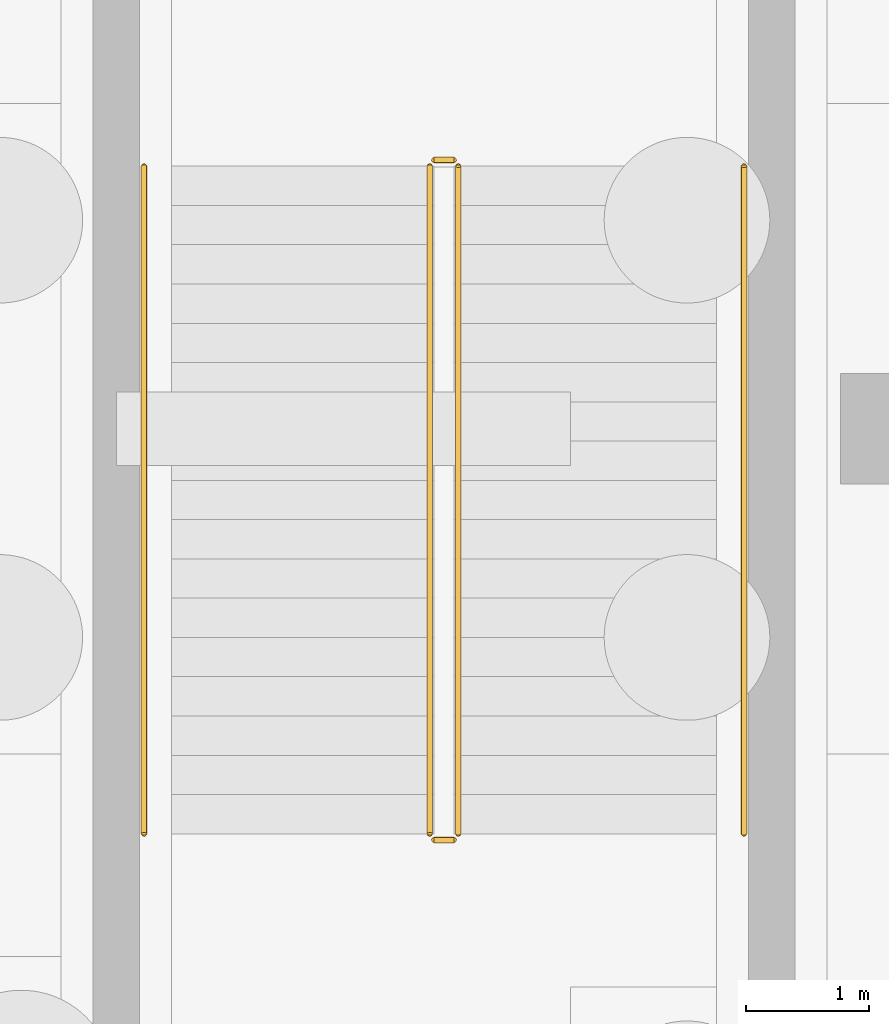
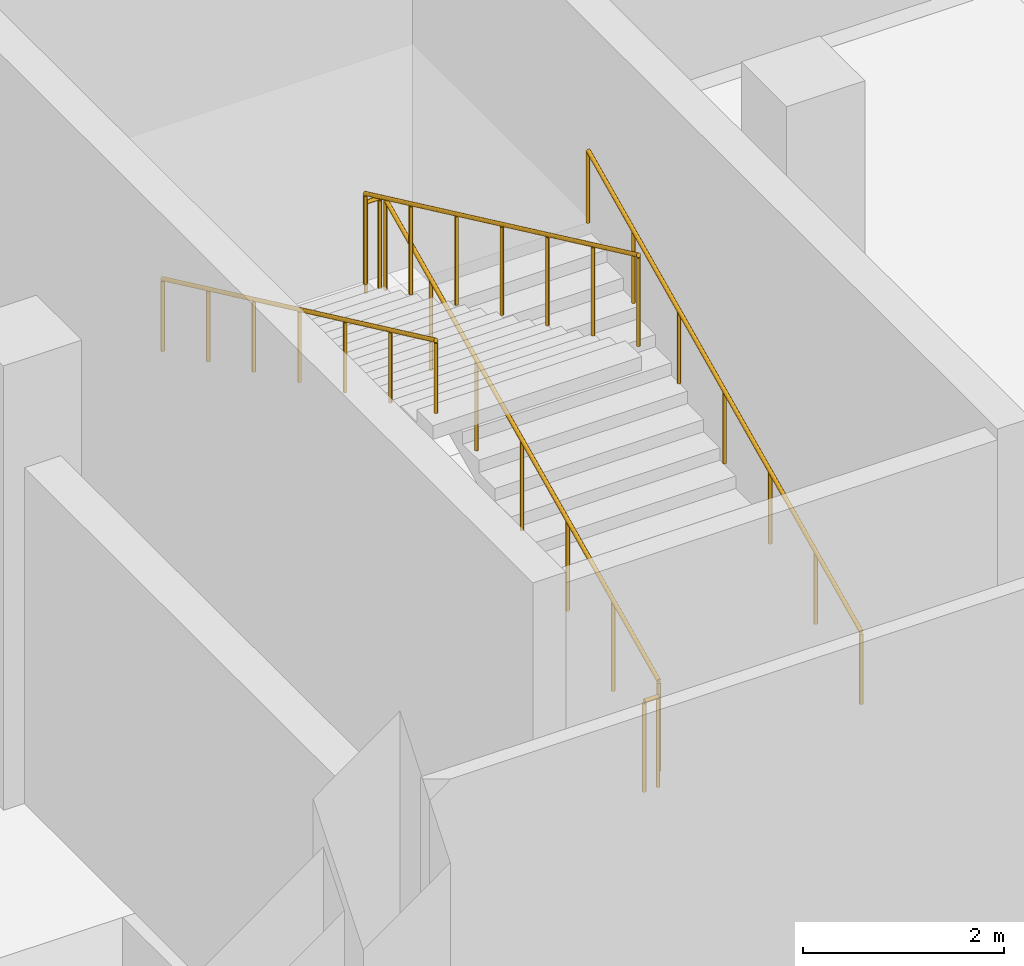
# One storey, part 32 of 39: 6 railings.
"""IFC4 building model written with IfcOpenShell, lengths in metres."""

import ifcopenshell
import ifcopenshell.guid

model = None  # the IFC model being written
_history = None  # IfcOwnerHistory: only IFC2X3 demands one
_inside = {}  # id of a spatial element -> (the spatial element, [elements in it])
_under = {}  # id of a project, library or spatial element -> (it, [spatial elements below it])
_declared = {}  # id of a project -> (the project, [libraries it declares])
_typed = {}  # id of a type object -> (the type object, [elements of that type])
_made_of = {}  # id of a material, layer set ... -> (it, [elements and type objects made of it])


def new_model(schema):
    """Start an empty IFC model of exactly this schema.

    Asked for "IFC4X3", IfcOpenShell would pick the latest addendum, in which some entities
    have other attributes; the version numbers below select the first issue.
    IFC2X3 requires an IfcOwnerHistory on every rooted entity: one is made here for all.
    """
    global model, _history
    if schema == "IFC4X3":
        model = ifcopenshell.file(schema_version=(4, 3, 0, 0))
    else:
        model = ifcopenshell.file(schema=schema)
    _inside.clear()
    _under.clear()
    _declared.clear()
    _typed.clear()
    _made_of.clear()
    _history = None
    if model.schema == "IFC2X3":
        org = make("IfcOrganization", Name="unknown")
        user = make(
            "IfcPersonAndOrganization",
            ThePerson=make("IfcPerson", FamilyName="unknown"),
            TheOrganization=org,
        )
        app = make(
            "IfcApplication",
            ApplicationDeveloper=org,
            Version="unknown",
            ApplicationFullName="unknown",
            ApplicationIdentifier="unknown",
        )
        _history = make(
            "IfcOwnerHistory",
            OwningUser=user,
            OwningApplication=app,
            ChangeAction="ADDED",
            CreationDate=0,
        )
    return model


def make(cls, **values):
    """One entity of the class cls with the attributes given. An attribute that is None is left unset."""
    return model.create_entity(
        cls, **{name: value for name, value in values.items() if value is not None}
    )


def rooted(cls, **values):
    """An entity with a GlobalId (a new one), such as an element, a storey or a relation."""
    return make(cls, GlobalId=ifcopenshell.guid.new(), OwnerHistory=_history, **values)


def si_unit(unit_type, name, prefix=None):
    """IfcSIUnit, for example si_unit("LENGTHUNIT", "METRE", prefix="MILLI")."""
    return make("IfcSIUnit", UnitType=unit_type, Prefix=prefix, Name=name)


def assignment(units):
    """IfcUnitAssignment: the units of a project."""
    return None if units is None else make("IfcUnitAssignment", Units=units)


def point(xyz):
    """IfcCartesianPoint."""
    return None if xyz is None else make("IfcCartesianPoint", Coordinates=xyz)


def direction(xyz):
    """IfcDirection."""
    return None if xyz is None else make("IfcDirection", DirectionRatios=xyz)


def frame(location, z_axis=None, x_axis=None):
    """IfcAxis2Placement3D, a coordinate frame: its origin and axes. An axis left out is left unset."""
    return make(
        "IfcAxis2Placement3D",
        Location=point(location),
        Axis=direction(z_axis),
        RefDirection=direction(x_axis),
    )


def frame_2d(location, x_axis=None):
    """IfcAxis2Placement2D, a coordinate frame in the plane: its origin and x axis."""
    return make(
        "IfcAxis2Placement2D", Location=point(location), RefDirection=direction(x_axis)
    )


def origin():
    """The frame at (0, 0, 0) with its axes left unset."""
    return frame((0.0, 0.0, 0.0))


def origin_2d():
    """The frame at (0, 0) in the plane with its x axis left unset."""
    return frame_2d((0.0, 0.0))


def place(relative_to, where):
    """IfcLocalPlacement: puts the frame where relative to a parent placement (None: the world)."""
    return make(
        "IfcLocalPlacement", PlacementRelTo=relative_to, RelativePlacement=where
    )


def context(
    kind, dimensions, precision=None, world=None, true_north=None, identifier=None
):
    """IfcGeometricRepresentationContext, for example the 3D "Model" context."""
    return make(
        "IfcGeometricRepresentationContext",
        ContextIdentifier=identifier,
        ContextType=kind,
        CoordinateSpaceDimension=dimensions,
        Precision=precision,
        WorldCoordinateSystem=world,
        TrueNorth=true_north,
    )


def subcontext(parent, identifier, kind, view, scale=None):
    """IfcGeometricRepresentationSubContext, for example "Body" below "Model"."""
    return make(
        "IfcGeometricRepresentationSubContext",
        ContextIdentifier=identifier,
        ContextType=kind,
        ParentContext=parent,
        TargetScale=scale,
        TargetView=view,
    )


def project(units=None, contexts=None):
    """IfcProject with its units and contexts."""
    return rooted(
        "IfcProject",
        Name="project",
        RepresentationContexts=contexts,
        UnitsInContext=assignment(units),
    )


def spatial(cls, under=None, at=None, **own):
    """A site, building, storey or space (cls), placed at a placement, below another one or the project."""
    s = rooted(cls, ObjectPlacement=at, **own)
    if under is not None:
        _under.setdefault(under.id(), (under, []))[1].append(s)
    return s


def profile(cls, at=None, kind="AREA", **sizes):
    """A parametric profile (cls). Its sizes go by their IFC names, for example OverallWidth=200.0."""
    return make(cls, ProfileType=kind, Position=at, **sizes)


def circle(**sizes):
    """IfcCircleProfileDef."""
    return profile("IfcCircleProfileDef", **sizes)


def extrude(swept, where, along, depth):
    """IfcExtrudedAreaSolid: the profile swept, set in the frame where, extruded along a direction by depth."""
    return make(
        "IfcExtrudedAreaSolid",
        SweptArea=swept,
        Position=where,
        ExtrudedDirection=direction(along),
        Depth=depth,
    )


def shape(context_of_items, identifier, shape_type, items):
    """IfcShapeRepresentation: the items that make up one representation, for example the "Body"."""
    return make(
        "IfcShapeRepresentation",
        ContextOfItems=context_of_items,
        RepresentationIdentifier=identifier,
        RepresentationType=shape_type,
        Items=items,
    )


def material(Name=None, Category=None):
    """IfcMaterial."""
    return make("IfcMaterial", Name=Name, Category=Category)


def layer(
    of_material, thickness, ventilated=None, Name=None, Category=None, Priority=None
):
    """IfcMaterialLayer: one layer of a wall or slab, of a material (None: an air gap)."""
    return make(
        "IfcMaterialLayer",
        Material=of_material,
        LayerThickness=thickness,
        IsVentilated=ventilated,
        Name=Name,
        Category=Category,
        Priority=Priority,
    )


def layer_set(layers, Name=None):
    """IfcMaterialLayerSet."""
    return make("IfcMaterialLayerSet", MaterialLayers=layers, LayerSetName=Name)


def made_of(thing, what):
    """Note that an element or type object is made of a material, layer set ...; save() writes the relation."""
    if what is not None:
        _made_of.setdefault(what.id(), (what, []))[1].append(thing)
    return thing


def type_object(cls, material=None, **own):
    """A type object (cls), such as IfcWallType, which elements share."""
    return made_of(rooted(cls, **own), material)


def element(
    cls,
    number,
    at=None,
    inside=None,
    cuts=None,
    type_object=None,
    material=None,
    context=None,
    identifier="Body",
    shape_type=None,
    held_by="IfcProductDefinitionShape",
    body=None,
    shapes=None,
    **own,
):
    """One element of the class cls, such as IfcWall. Its Tag is "e" and its number.

    at: its placement. inside: the storey or other place that contains it. cuts: it is an
    opening in that element (IfcRelVoidsElement). A single representation is given by context,
    identifier, shape_type and body (its items); several are given by shapes. held_by: the class
    of the entity that holds the representations. save() writes the other relations.
    """
    e = rooted(cls, Tag="e%d" % number, ObjectPlacement=at, **own)
    if body is not None:
        shapes = [shape(context, identifier, shape_type, body)]
    if shapes is not None:
        e.Representation = make(held_by, Representations=shapes)
    if inside is not None:
        _inside.setdefault(inside.id(), (inside, []))[1].append(e)
    if cuts is not None:
        rooted(
            "IfcRelVoidsElement", RelatingBuildingElement=cuts, RelatedOpeningElement=e
        )
    if type_object is not None:
        _typed.setdefault(type_object.id(), (type_object, []))[1].append(e)
    return made_of(e, material)


def aggregate(whole, parts):
    """IfcRelAggregates: a whole, such as a stair, and the parts it consists of."""
    return rooted("IfcRelAggregates", RelatingObject=whole, RelatedObjects=parts)


def save(model, path):
    """Write the relations noted so far, then the file.

    IfcRelAggregates (storeys below a building ...), IfcRelContainedInSpatialStructure (elements
    in a storey), IfcRelDefinesByType, IfcRelAssociatesMaterial and IfcRelDeclares: one each for
    every whole, place, type object, material and project.
    """
    for whole, parts in _under.values():
        aggregate(whole, parts)
    for where, things in _inside.values():
        rooted(
            "IfcRelContainedInSpatialStructure",
            RelatedElements=things,
            RelatingStructure=where,
        )
    for kind, things in _typed.values():
        rooted("IfcRelDefinesByType", RelatedObjects=things, RelatingType=kind)
    for what, things in _made_of.values():
        rooted("IfcRelAssociatesMaterial", RelatedObjects=things, RelatingMaterial=what)
    for by, libraries in _declared.values():
        rooted("IfcRelDeclares", RelatingContext=by, RelatedDefinitions=libraries)
    model.write(path)


model = new_model("IFC4")

# Units and contexts
model_context = context("Model", 3, precision=1e-05, world=origin(), true_north=direction((0.0, 1.0)))
body_context = subcontext(model_context, "Body", "Model", "MODEL_VIEW")
ifc_project = project(units=[si_unit("LENGTHUNIT", "METRE"), si_unit("AREAUNIT", "SQUARE_METRE"), si_unit("VOLUMEUNIT", "CUBIC_METRE"), si_unit("PLANEANGLEUNIT", "RADIAN"), si_unit("MASSUNIT", "GRAM", prefix="KILO")], contexts=[model_context])

# Site, building, storey
site_placement = place(None, origin())
site = spatial("IfcSite", under=ifc_project, at=site_placement, CompositionType="ELEMENT")
building_placement = place(site_placement, origin())
building = spatial("IfcBuilding", under=site, at=building_placement, Name="Celestram Park Convention Centre", CompositionType="ELEMENT")
storey_placement = place(building_placement, frame((0.0, 0.0, -5.39990234375)))
storey = spatial("IfcBuildingStorey", under=building, at=storey_placement, Name="B1", CompositionType="ELEMENT", Elevation=-5.39990234375)

# Railings
ifc_material_1 = material(Name="Stainless Steel AISI 316L & Laminated Glass", Category="steel")
ifc_layer_1 = layer(ifc_material_1, 0.06005859375)
ifc_layer_set_1 = layer_set([ifc_layer_1], Name="Stainless Steel AISI 316L & Laminated Glass")
railing_type_1 = type_object("IfcRailingType", Name="ARC-RL-GRD1120", PredefinedType="GUARDRAIL", material=ifc_layer_set_1)
railing_1_placement = place(storey_placement, frame((41.43603515625, 111.89990234375, 0.14990234375)))
element("IfcRailing", 1, at=railing_1_placement, inside=storey, type_object=railing_type_1, Name="B1 ST-13 stair guard 1", PredefinedType="GUARDRAIL", context=body_context, shape_type="SweptSolid", body=[
    extrude(circle(Radius=0.02392578125, at=origin_2d()), frame((0.0, 0.0, 1.09619140625), z_axis=(0.0, 0.905461375974, 0.424428670827), x_axis=(-1.0, 0.0, 0.0)), (0.0, 0.0, 1.0), 6.00830078125),
    extrude(circle(Radius=0.02099609375, at=origin_2d()), origin(), (0.0, 0.0, 1.0), 1.072021484375),
    extrude(circle(Radius=0.02099609375, at=origin_2d()), frame((0.0, 0.90673828125, 0.425048828125)), (0.0, 0.0, 1.0), 1.072021484375),
    extrude(circle(Radius=0.02099609375, at=origin_2d()), frame((0.0, 1.8134765625, 0.85009765625)), (0.0, 0.0, 1.0), 1.072021484375),
    extrude(circle(Radius=0.02099609375, at=origin_2d()), frame((0.0, 2.72021484375, 1.27490234375)), (0.0, 0.0, 1.0), 1.072021484375),
    extrude(circle(Radius=0.02099609375, at=origin_2d()), frame((0.0, 3.626708984375, 1.699951171875)), (0.0, 0.0, 1.0), 1.072021484375),
    extrude(circle(Radius=0.02099609375, at=origin_2d()), frame((0.0, 4.533447265625, 2.125)), (0.0, 0.0, 1.0), 1.072021484375),
    extrude(circle(Radius=0.02099609375, at=origin_2d()), frame((0.0, 5.440185546875, 2.550048828125)), (0.0, 0.0, 1.0), 1.072021484375),
])
railing_2_placement = place(storey_placement, frame((41.39990234375, 117.389892578125, 2.699951171875)))
element("IfcRailing", 2, at=railing_2_placement, inside=storey, type_object=railing_type_1, Name="B1 ST-13 stair guard 2", PredefinedType="GUARDRAIL", context=body_context, shape_type="SweptSolid", body=[
    extrude(circle(Radius=0.02392578125, at=origin_2d()), frame((0.0, 0.0, 1.09619140625), z_axis=(-1.0, 0.0, 0.0), x_axis=(0.0, -1.0, 0.0)), (0.0, 0.0, 1.0), 0.159912109375),
    extrude(circle(Radius=0.02099609375, at=origin_2d()), origin(), (0.0, 0.0, 1.0), 1.072021484375),
    extrude(circle(Radius=0.02099609375, at=origin_2d()), frame((-0.159912109375, 0.0, 0.0)), (0.0, 0.0, 1.0), 1.072021484375),
])
railing_3_placement = place(storey_placement, frame((41.2041015625, 117.340087890625, 2.849853515625)))
element("IfcRailing", 3, at=railing_3_placement, inside=storey, type_object=railing_type_1, Name="B1 ST-13 stair guard 3", PredefinedType="GUARDRAIL", context=body_context, shape_type="SweptSolid", body=[
    extrude(circle(Radius=0.02392578125, at=origin_2d()), frame((0.0, 0.0, 1.09619140625), z_axis=(0.0, -0.905461375974, 0.424428670827), x_axis=(1.0, 0.0, 0.0)), (0.0, 0.0, 1.0), 6.00830078125),
    extrude(circle(Radius=0.02099609375, at=origin_2d()), origin(), (0.0, 0.0, 1.0), 1.072021484375),
    extrude(circle(Radius=0.02099609375, at=origin_2d()), frame((0.0, -0.90673828125, 0.425048828125)), (0.0, 0.0, 1.0), 1.072021484375),
    extrude(circle(Radius=0.02099609375, at=origin_2d()), frame((0.0, -1.8134765625, 0.85009765625)), (0.0, 0.0, 1.0), 1.072021484375),
    extrude(circle(Radius=0.02099609375, at=origin_2d()), frame((0.0, -2.72021484375, 1.27490234375)), (0.0, 0.0, 1.0), 1.072021484375),
    extrude(circle(Radius=0.02099609375, at=origin_2d()), frame((0.0, -3.626708984375, 1.699951171875)), (0.0, 0.0, 1.0), 1.072021484375),
    extrude(circle(Radius=0.02099609375, at=origin_2d()), frame((0.0, -4.533447265625, 2.125)), (0.0, 0.0, 1.0), 1.072021484375),
    extrude(circle(Radius=0.02099609375, at=origin_2d()), frame((0.0, -5.440185546875, 2.550048828125)), (0.0, 0.0, 1.0), 1.072021484375),
])
railing_4_placement = place(storey_placement, frame((41.39990234375, 111.85009765625, 0.0)))
element("IfcRailing", 4, at=railing_4_placement, inside=storey, type_object=railing_type_1, Name="B1 ST-13 stair guard 4", PredefinedType="GUARDRAIL", context=body_context, shape_type="SweptSolid", body=[
    extrude(circle(Radius=0.02392578125, at=origin_2d()), frame((0.0, 0.0, 1.09619140625), z_axis=(-1.0, 0.0, 0.0), x_axis=(0.0, -1.0, 0.0)), (0.0, 0.0, 1.0), 0.159912109375),
    extrude(circle(Radius=0.02099609375, at=origin_2d()), origin(), (0.0, 0.0, 1.0), 1.072021484375),
    extrude(circle(Radius=0.02099609375, at=origin_2d()), frame((-0.159912109375, 0.0, 0.0)), (0.0, 0.0, 1.0), 1.072021484375),
])
ifc_material_2 = material(Name="Brushed Stainless Steel AISI 304", Category="steel")
ifc_layer_2 = layer(ifc_material_2, 0.048095703125)
ifc_layer_set_2 = layer_set([ifc_layer_2], Name="Brushed Stainless Steel AISI 304")
railing_type_2 = type_object("IfcRailingType", Name="ARC-RL-HND915", PredefinedType="HANDRAIL", material=ifc_layer_set_2)
railing_5_placement = place(storey_placement, frame((43.763916015625, 111.89990234375, 0.14990234375)))
element("IfcRailing", 5, at=railing_5_placement, inside=storey, type_object=railing_type_2, Name="B1 ST-13 stair handrail 1", PredefinedType="HANDRAIL", context=body_context, shape_type="SweptSolid", body=[
    extrude(circle(Radius=0.02392578125, at=origin_2d()), frame((0.0, 0.0, 0.8759765625), z_axis=(0.0, 0.905461375974, 0.424428670827), x_axis=(-1.0, 0.0, 0.0)), (0.0, 0.0, 1.0), 6.00830078125),
    extrude(circle(Radius=0.02099609375, at=origin_2d()), origin(), (0.0, 0.0, 1.0), 0.851806640625),
    extrude(circle(Radius=0.02099609375, at=origin_2d()), frame((0.0, 0.90673828125, 0.425048828125)), (0.0, 0.0, 1.0), 0.851806640625),
    extrude(circle(Radius=0.02099609375, at=origin_2d()), frame((0.0, 1.8134765625, 0.85009765625)), (0.0, 0.0, 1.0), 0.851806640625),
    extrude(circle(Radius=0.02099609375, at=origin_2d()), frame((0.0, 2.72021484375, 1.27490234375)), (0.0, 0.0, 1.0), 0.851806640625),
    extrude(circle(Radius=0.02099609375, at=origin_2d()), frame((0.0, 3.626708984375, 1.699951171875)), (0.0, 0.0, 1.0), 0.851806640625),
    extrude(circle(Radius=0.02099609375, at=origin_2d()), frame((0.0, 4.533447265625, 2.125)), (0.0, 0.0, 1.0), 0.851806640625),
    extrude(circle(Radius=0.02099609375, at=origin_2d()), frame((0.0, 5.440185546875, 2.550048828125)), (0.0, 0.0, 1.0), 0.851806640625),
])
railing_6_placement = place(storey_placement, frame((38.8759765625, 117.340087890625, 2.849853515625)))
element("IfcRailing", 6, at=railing_6_placement, inside=storey, type_object=railing_type_2, Name="B1 ST-13 stair handrail 2", PredefinedType="HANDRAIL", context=body_context, shape_type="SweptSolid", body=[
    extrude(circle(Radius=0.02392578125, at=origin_2d()), frame((0.0, 0.0, 0.8759765625), z_axis=(0.0, -0.905461375974, 0.424428670827), x_axis=(1.0, 0.0, 0.0)), (0.0, 0.0, 1.0), 6.00830078125),
    extrude(circle(Radius=0.02099609375, at=origin_2d()), origin(), (0.0, 0.0, 1.0), 0.851806640625),
    extrude(circle(Radius=0.02099609375, at=origin_2d()), frame((0.0, -0.90673828125, 0.425048828125)), (0.0, 0.0, 1.0), 0.851806640625),
    extrude(circle(Radius=0.02099609375, at=origin_2d()), frame((0.0, -1.8134765625, 0.85009765625)), (0.0, 0.0, 1.0), 0.851806640625),
    extrude(circle(Radius=0.02099609375, at=origin_2d()), frame((0.0, -2.72021484375, 1.27490234375)), (0.0, 0.0, 1.0), 0.851806640625),
    extrude(circle(Radius=0.02099609375, at=origin_2d()), frame((0.0, -3.626708984375, 1.699951171875)), (0.0, 0.0, 1.0), 0.851806640625),
    extrude(circle(Radius=0.02099609375, at=origin_2d()), frame((0.0, -4.533447265625, 2.125)), (0.0, 0.0, 1.0), 0.851806640625),
    extrude(circle(Radius=0.02099609375, at=origin_2d()), frame((0.0, -5.440185546875, 2.550048828125)), (0.0, 0.0, 1.0), 0.851806640625),
])

save(model, "model.ifc")
